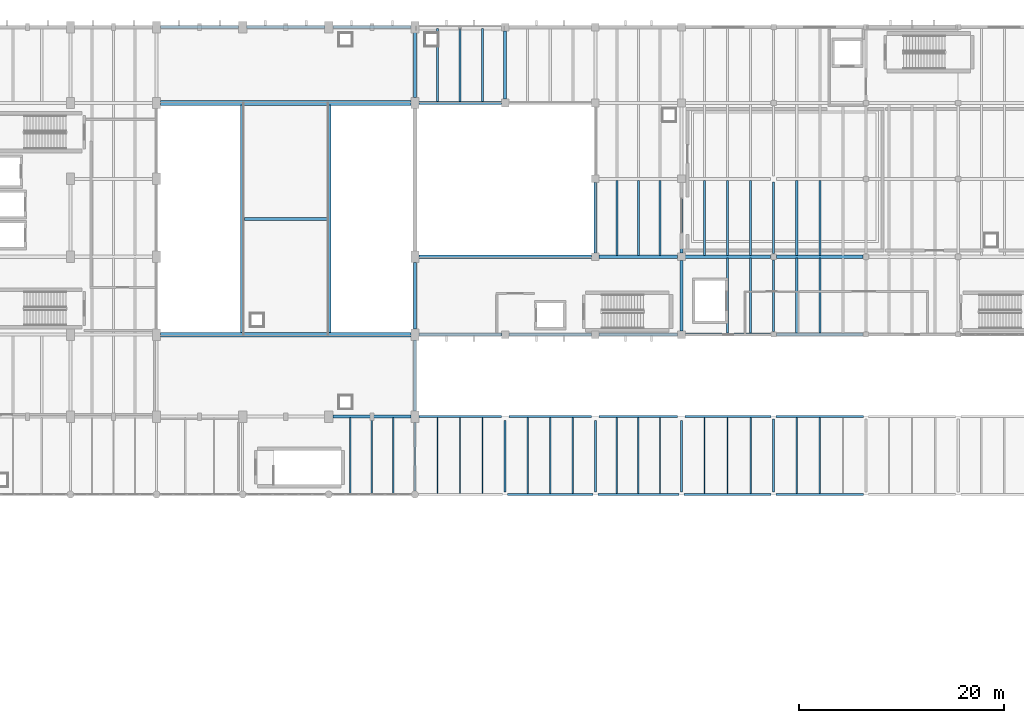
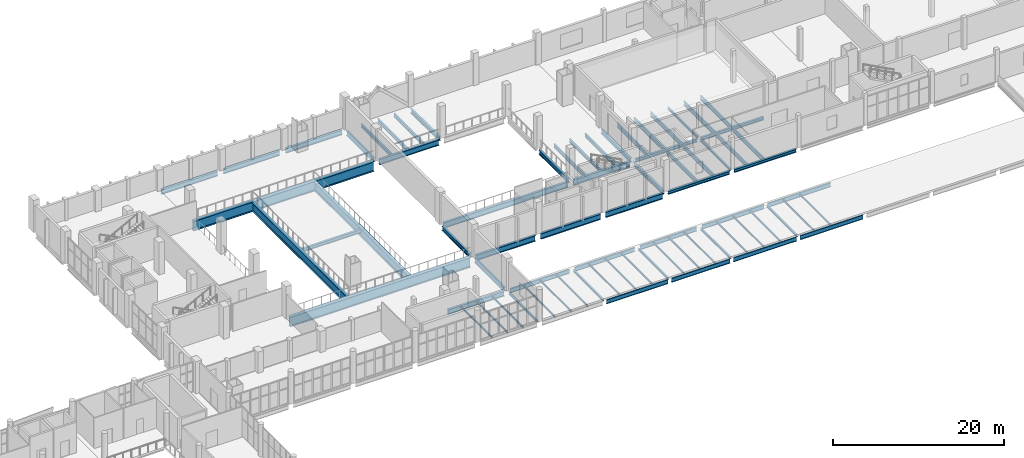
# One storey, part 39 of 74: 74 beams.
"""IFC4 building model written with IfcOpenShell, lengths in metres."""

from ifc_helpers import new_model, si_unit, direction, frame, origin, origin_2d, place, context, subcontext, project, spatial, i_section, extrude, material, material_profile, profile_set, type_object, element, save


model = new_model("IFC4")

# Units and contexts
model_context = context("Model", 3, precision=1e-05, world=origin(), true_north=direction((0.0, 1.0)))
body_context = subcontext(model_context, "Body", "Model", "MODEL_VIEW")
ifc_project = project(units=[si_unit("LENGTHUNIT", "METRE"), si_unit("AREAUNIT", "SQUARE_METRE"), si_unit("VOLUMEUNIT", "CUBIC_METRE"), si_unit("PLANEANGLEUNIT", "RADIAN"), si_unit("MASSUNIT", "GRAM", prefix="KILO")], contexts=[model_context])

# Site, building, storey
site_placement = place(None, origin())
site = spatial("IfcSite", under=ifc_project, at=site_placement, CompositionType="ELEMENT")
building_placement = place(site_placement, origin())
building = spatial("IfcBuilding", under=site, at=building_placement, Name="Shengluoqiao Park Theatre", CompositionType="ELEMENT")
storey_placement = place(building_placement, frame((0.0, 0.0, 14.60009765625)))
storey = spatial("IfcBuildingStorey", under=building, at=storey_placement, Name="L03", CompositionType="ELEMENT", Elevation=14.60009765625)

# Beams
ifc_material_1 = material(Name="Steel Q355", Category="steel")
ifc_material_profile_1 = material_profile(ifc_material_1, i_section(OverallWidth=0.199951171875, OverallDepth=0.2939453125, WebThickness=0.008056640625, FlangeThickness=0.011962890625, FilletRadius=0.01611328125, at=origin_2d()), Name="HM 294x200x8x12")
ifc_profile_set_1 = profile_set([ifc_material_profile_1], Name="Steel Q355")
beam_type_1 = type_object("IfcBeamType", Name="STR-BM-G-HM294", PredefinedType="BEAM", material=ifc_profile_set_1)
beam_1_placement = place(storey_placement, frame((86.39990234375, 68.743896484375, -0.397216796875), z_axis=(0.0, 1.0, 0.0), x_axis=(-1.0, 0.0, 0.0)))
element("IfcBeam", 1, at=beam_1_placement, inside=storey, type_object=beam_type_1, Name="L03 Transverse Girder 01361", PredefinedType="BEAM", context=body_context, shape_type="SweptSolid", body=[
    extrude(i_section(OverallWidth=0.199951171875, OverallDepth=0.2939453125, WebThickness=0.008056640625, FlangeThickness=0.011962890625, FilletRadius=0.01611328125, at=origin_2d()), origin(), (0.0, 0.0, 1.0), 6.712158203125),
])
for number, where, z_axis, x_axis, name in (
    (2, (121.39990234375, 84.2939453125, -0.38720703125), (0.0, 1.0, 0.0), (-1.0, 0.0, 0.0), "L03 Transverse Girder 01387"),
    (3, (121.39990234375, 91.89404296875, -0.38720703125), (0.0, 1.0, 0.0), (-1.0, 0.0, 0.0), "L03 Transverse Girder 01388"),
):
    element("IfcBeam", number, at=place(storey_placement, frame(where, z_axis=z_axis, x_axis=x_axis)), inside=storey, type_object=beam_type_1, Name=name, PredefinedType="BEAM", context=body_context, shape_type="SweptSolid", body=[
        extrude(i_section(OverallWidth=0.199951171875, OverallDepth=0.2939453125, WebThickness=0.008056640625, FlangeThickness=0.011962890625, FilletRadius=0.01611328125, at=origin_2d()), origin(), (0.0, 0.0, 1.0), 7.011962890625),
    ])
for number, where, z_axis, x_axis, name in (
    (4, (95.199951171875, 68.64794921875, -0.377197265625), (0.0, 1.0, 0.0), (-1.0, 0.0, 0.0), "L03 Transverse Girder 01870"),
    (5, (104.0, 68.64794921875, -0.377197265625), (0.0, 1.0, 0.0), (-1.0, 0.0, 0.0), "L03 Transverse Girder 01871"),
    (6, (112.39990234375, 68.64794921875, -0.377197265625), (0.0, 1.0, 0.0), (-1.0, 0.0, 0.0), "L03 Transverse Girder 01872"),
):
    element("IfcBeam", number, at=place(storey_placement, frame(where, z_axis=z_axis, x_axis=x_axis)), inside=storey, type_object=beam_type_1, Name=name, PredefinedType="BEAM", context=body_context, shape_type="SweptSolid", body=[
        extrude(i_section(OverallWidth=0.199951171875, OverallDepth=0.2939453125, WebThickness=0.008056640625, FlangeThickness=0.011962890625, FilletRadius=0.01611328125, at=origin_2d()), origin(), (0.0, 0.0, 1.0), 6.983154296875),
    ])
beam_2_placement = place(storey_placement, frame((121.39990234375, 68.64794921875, -0.377197265625), z_axis=(0.0, 1.0, 0.0), x_axis=(-1.0, 0.0, 0.0)))
element("IfcBeam", 7, at=beam_2_placement, inside=storey, type_object=beam_type_1, Name="L03 Transverse Girder 01873", PredefinedType="BEAM", context=body_context, shape_type="SweptSolid", body=[
    extrude(i_section(OverallWidth=0.199951171875, OverallDepth=0.2939453125, WebThickness=0.008056640625, FlangeThickness=0.011962890625, FilletRadius=0.01611328125, at=origin_2d()), origin(), (0.0, 0.0, 1.0), 7.10400390625),
])
ifc_material_profile_2 = material_profile(ifc_material_1, i_section(OverallWidth=0.300048828125, OverallDepth=0.43994140625, WebThickness=0.010986328125, FlangeThickness=0.01806640625, FilletRadius=0.02001953125, at=origin_2d()), Name="HM 440x300x11x18")
ifc_profile_set_2 = profile_set([ifc_material_profile_2], Name="Steel Q355")
beam_type_2 = type_object("IfcBeamType", Name="STR-BM-G-HM440", PredefinedType="BEAM", material=ifc_profile_set_2)
beam_3_placement = place(storey_placement, frame((112.76904296875, 84.0, -0.460205078125), z_axis=(1.0, 0.0, 0.0), x_axis=(0.0, 1.0, 0.0)))
element("IfcBeam", 8, at=beam_3_placement, inside=storey, type_object=beam_type_2, Name="L03 Primary Girder 01372", PredefinedType="BEAM", context=body_context, shape_type="SweptSolid", body=[
    extrude(i_section(OverallWidth=0.300048828125, OverallDepth=0.43994140625, WebThickness=0.010986328125, FlangeThickness=0.01806640625, FilletRadius=0.02001953125, at=origin_2d()), origin(), (0.0, 0.0, 1.0), 8.3369140625),
])
beam_4_placement = place(storey_placement, frame((121.694091796875, 84.0, -0.460205078125), z_axis=(1.0, 0.0, 0.0), x_axis=(0.0, 1.0, 0.0)))
element("IfcBeam", 9, at=beam_4_placement, inside=storey, type_object=beam_type_2, Name="L03 Primary Girder 01373", PredefinedType="BEAM", context=body_context, shape_type="SweptSolid", body=[
    extrude(i_section(OverallWidth=0.300048828125, OverallDepth=0.43994140625, WebThickness=0.010986328125, FlangeThickness=0.01806640625, FilletRadius=0.02001953125, at=origin_2d()), origin(), (0.0, 0.0, 1.0), 8.411865234375),
])
beam_5_placement = place(storey_placement, frame((112.76904296875, 91.60009765625, -0.460205078125), z_axis=(1.0, 0.0, 0.0), x_axis=(0.0, 1.0, 0.0)))
element("IfcBeam", 10, at=beam_5_placement, inside=storey, type_object=beam_type_2, Name="L03 Primary Girder 01375", PredefinedType="BEAM", context=body_context, shape_type="SweptSolid", body=[
    extrude(i_section(OverallWidth=0.300048828125, OverallDepth=0.43994140625, WebThickness=0.010986328125, FlangeThickness=0.01806640625, FilletRadius=0.02001953125, at=origin_2d()), origin(), (0.0, 0.0, 1.0), 8.3369140625),
])
beam_6_placement = place(storey_placement, frame((121.694091796875, 91.60009765625, -0.460205078125), z_axis=(1.0, 0.0, 0.0), x_axis=(0.0, 1.0, 0.0)))
element("IfcBeam", 11, at=beam_6_placement, inside=storey, type_object=beam_type_2, Name="L03 Primary Girder 01376", PredefinedType="BEAM", context=body_context, shape_type="SweptSolid", body=[
    extrude(i_section(OverallWidth=0.300048828125, OverallDepth=0.43994140625, WebThickness=0.010986328125, FlangeThickness=0.01806640625, FilletRadius=0.02001953125, at=origin_2d()), origin(), (0.0, 0.0, 1.0), 8.411865234375),
])
ifc_material_profile_3 = material_profile(ifc_material_1, i_section(OverallWidth=0.300048828125, OverallDepth=0.488037109375, WebThickness=0.010986328125, FlangeThickness=0.01806640625, FilletRadius=0.02197265625, at=origin_2d()), Name="HM 488x300x11x18")
ifc_profile_set_3 = profile_set([ifc_material_profile_3], Name="Steel Q355")
beam_type_3 = type_object("IfcBeamType", Name="STR-BM-G-HM488", PredefinedType="BEAM", material=ifc_profile_set_3)
beam_7_placement = place(storey_placement, frame((69.7900390625, 95.300048828125, -0.494140625), z_axis=(1.0, 0.0, 0.0), x_axis=(0.0, 1.0, 0.0)))
element("IfcBeam", 12, at=beam_7_placement, inside=storey, type_object=beam_type_3, Name="Second Balcony Mid-Span Transverse Beam", PredefinedType="BEAM", context=body_context, shape_type="SweptSolid", body=[
    extrude(i_section(OverallWidth=0.300048828125, OverallDepth=0.488037109375, WebThickness=0.010986328125, FlangeThickness=0.01806640625, FilletRadius=0.02197265625, at=origin_2d()), origin(), (0.0, 0.0, 1.0), 8.02001953125),
])
ifc_material_profile_4 = material_profile(ifc_material_1, i_section(OverallWidth=0.300048828125, OverallDepth=0.58203125, WebThickness=0.011962890625, FlangeThickness=0.01708984375, FilletRadius=0.02392578125, at=origin_2d()), Name="HM 582x300x12x17")
ifc_profile_set_4 = profile_set([ifc_material_profile_4], Name="Steel Q355")
beam_type_4 = type_object("IfcBeamType", Name="STR-BM-G-HM582", PredefinedType="BEAM", material=ifc_profile_set_4)
beam_8_placement = place(storey_placement, frame((86.39990234375, 84.5439453125, -0.541015625), z_axis=(0.0, 1.0, 0.0), x_axis=(-1.0, 0.0, 0.0)))
element("IfcBeam", 13, at=beam_8_placement, inside=storey, type_object=beam_type_4, Name="L03 Transverse Girder 01259", PredefinedType="BEAM", context=body_context, shape_type="SweptSolid", body=[
    extrude(i_section(OverallWidth=0.300048828125, OverallDepth=0.58203125, WebThickness=0.011962890625, FlangeThickness=0.01708984375, FilletRadius=0.02392578125, at=origin_2d()), origin(), (0.0, 0.0, 1.0), 6.511962890625),
])
beam_9_placement = place(storey_placement, frame((112.39990234375, 84.368896484375, -0.531005859375), z_axis=(0.0, 1.0, 0.0), x_axis=(-1.0, 0.0, 0.0)))
element("IfcBeam", 14, at=beam_9_placement, inside=storey, type_object=beam_type_4, Name="L03 Transverse Girder 01260", PredefinedType="BEAM", context=body_context, shape_type="SweptSolid", body=[
    extrude(i_section(OverallWidth=0.300048828125, OverallDepth=0.58203125, WebThickness=0.011962890625, FlangeThickness=0.01708984375, FilletRadius=0.02392578125, at=origin_2d()), origin(), (0.0, 0.0, 1.0), 6.862060546875),
])
beam_10_placement = place(storey_placement, frame((95.199951171875, 106.968994140625, -0.531005859375), z_axis=(0.0, 1.0, 0.0), x_axis=(-1.0, 0.0, 0.0)))
element("IfcBeam", 15, at=beam_10_placement, inside=storey, type_object=beam_type_4, Name="L03 Transverse Girder 01267", PredefinedType="BEAM", context=body_context, shape_type="SweptSolid", body=[
    extrude(i_section(OverallWidth=0.300048828125, OverallDepth=0.58203125, WebThickness=0.011962890625, FlangeThickness=0.01708984375, FilletRadius=0.02392578125, at=origin_2d()), origin(), (0.0, 0.0, 1.0), 6.662109375),
])
for number, where, z_axis, x_axis, name in (
    (16, (104.0, 91.968994140625, -0.531005859375), (0.0, 1.0, 0.0), (-1.0, 0.0, 0.0), "L03 Transverse Girder 01280"),
    (17, (112.39990234375, 91.968994140625, -0.531005859375), (0.0, 1.0, 0.0), (-1.0, 0.0, 0.0), "L03 Transverse Girder 01282"),
):
    element("IfcBeam", number, at=place(storey_placement, frame(where, z_axis=z_axis, x_axis=x_axis)), inside=storey, type_object=beam_type_4, Name=name, PredefinedType="BEAM", context=body_context, shape_type="SweptSolid", body=[
        extrude(i_section(OverallWidth=0.300048828125, OverallDepth=0.58203125, WebThickness=0.011962890625, FlangeThickness=0.01708984375, FilletRadius=0.02392578125, at=origin_2d()), origin(), (0.0, 0.0, 1.0), 6.862060546875),
    ])
ifc_material_profile_5 = material_profile(ifc_material_1, i_section(OverallWidth=0.300048828125, OverallDepth=0.587890625, WebThickness=0.011962890625, FlangeThickness=0.02001953125, FilletRadius=0.02392578125, at=origin_2d()), Name="HM 588x300x12x20")
ifc_profile_set_5 = profile_set([ifc_material_profile_5], Name="Steel Q355")
beam_type_5 = type_object("IfcBeamType", Name="STR-BM-G-HM588", PredefinedType="BEAM", material=ifc_profile_set_5)
beam_11_placement = place(storey_placement, frame((86.39990234375, 76.5439453125, -0.544189453125), z_axis=(0.0, 1.0, 0.0), x_axis=(-1.0, 0.0, 0.0)))
element("IfcBeam", 18, at=beam_11_placement, inside=storey, type_object=beam_type_5, Name="L03 Transverse Girder 01249", PredefinedType="BEAM", context=body_context, shape_type="SweptSolid", body=[
    extrude(i_section(OverallWidth=0.300048828125, OverallDepth=0.587890625, WebThickness=0.011962890625, FlangeThickness=0.02001953125, FilletRadius=0.02392578125, at=origin_2d()), origin(), (0.0, 0.0, 1.0), 6.912109375),
])
beam_12_placement = place(storey_placement, frame((86.39990234375, 107.14404296875, -0.544189453125), z_axis=(0.0, 1.0, 0.0), x_axis=(-1.0, 0.0, 0.0)))
element("IfcBeam", 19, at=beam_12_placement, inside=storey, type_object=beam_type_5, Name="L03 Transverse Girder 01253", PredefinedType="BEAM", context=body_context, shape_type="SweptSolid", body=[
    extrude(i_section(OverallWidth=0.300048828125, OverallDepth=0.587890625, WebThickness=0.011962890625, FlangeThickness=0.02001953125, FilletRadius=0.02392578125, at=origin_2d()), origin(), (0.0, 0.0, 1.0), 6.31201171875),
])
ifc_material_2 = material(Name="Steel Q390", Category="steel")
ifc_material_profile_6 = material_profile(ifc_material_2, i_section(OverallWidth=0.300048828125, OverallDepth=0.699951171875, WebThickness=0.012939453125, FlangeThickness=0.02392578125, FilletRadius=0.02392578125, at=origin_2d()), Name="HN 700x300x13x24")
ifc_profile_set_6 = profile_set([ifc_material_profile_6], Name="Steel Q390")
beam_type_6 = type_object("IfcBeamType", Name="STR-BM-G-HN700", PredefinedType="BEAM", material=ifc_profile_set_6)
for number, where, z_axis, x_axis, name in (
    (20, (78.39404296875, 76.0, -0.60009765625), (1.0, 0.0, 0.0), (0.0, 1.0, 0.0), "L03 Primary Girder 01248"),
    (21, (61.593994140625, 114.0, -0.60009765625), (1.0, 0.0, 0.0), (0.0, 1.0, 0.0), "L03 Primary Girder 01250"),
    (22, (69.993896484375, 114.0, -0.60009765625), (1.0, 0.0, 0.0), (0.0, 1.0, 0.0), "L03 Primary Girder 01251"),
    (23, (78.39404296875, 114.0, -0.60009765625), (1.0, 0.0, 0.0), (0.0, 1.0, 0.0), "L03 Primary Girder 01252"),
):
    element("IfcBeam", number, at=place(storey_placement, frame(where, z_axis=z_axis, x_axis=x_axis)), inside=storey, type_object=beam_type_6, Name=name, PredefinedType="BEAM", context=body_context, shape_type="SweptSolid", body=[
        extrude(i_section(OverallWidth=0.300048828125, OverallDepth=0.699951171875, WebThickness=0.012939453125, FlangeThickness=0.02392578125, FilletRadius=0.02392578125, at=origin_2d()), origin(), (0.0, 0.0, 1.0), 7.612060546875),
    ])
ifc_material_profile_7 = material_profile(ifc_material_2, i_section(OverallWidth=0.300048828125, OverallDepth=0.800048828125, WebThickness=0.013916015625, FlangeThickness=0.02587890625, FilletRadius=0.02587890625, at=origin_2d()), Name="HN 800x300x14x26")
ifc_profile_set_7 = profile_set([ifc_material_profile_7], Name="Steel Q390")
beam_type_7 = type_object("IfcBeamType", Name="STR-BM-G-HN800", PredefinedType="BEAM", material=ifc_profile_set_7)
beam_13_placement = place(storey_placement, frame((86.7939453125, 84.0, -0.650146484375), z_axis=(1.0, 0.0, 0.0), x_axis=(0.0, 1.0, 0.0)))
element("IfcBeam", 24, at=beam_13_placement, inside=storey, type_object=beam_type_7, Name="L03 Primary Girder 01254", PredefinedType="BEAM", context=body_context, shape_type="SweptSolid", body=[
    extrude(i_section(OverallWidth=0.300048828125, OverallDepth=0.800048828125, WebThickness=0.013916015625, FlangeThickness=0.02587890625, FilletRadius=0.02587890625, at=origin_2d()), origin(), (0.0, 0.0, 1.0), 8.037109375),
])
beam_14_placement = place(storey_placement, frame((95.569091796875, 84.0, -0.64013671875), z_axis=(1.0, 0.0, 0.0), x_axis=(0.0, 1.0, 0.0)))
element("IfcBeam", 25, at=beam_14_placement, inside=storey, type_object=beam_type_7, Name="L03 Primary Girder 01255", PredefinedType="BEAM", context=body_context, shape_type="SweptSolid", body=[
    extrude(i_section(OverallWidth=0.300048828125, OverallDepth=0.800048828125, WebThickness=0.013916015625, FlangeThickness=0.02587890625, FilletRadius=0.02587890625, at=origin_2d()), origin(), (0.0, 0.0, 1.0), 8.06201171875),
])
beam_15_placement = place(storey_placement, frame((104.368896484375, 84.0, -0.64013671875), z_axis=(1.0, 0.0, 0.0), x_axis=(0.0, 1.0, 0.0)))
element("IfcBeam", 26, at=beam_15_placement, inside=storey, type_object=beam_type_7, Name="L03 Primary Girder 01256", PredefinedType="BEAM", context=body_context, shape_type="SweptSolid", body=[
    extrude(i_section(OverallWidth=0.300048828125, OverallDepth=0.800048828125, WebThickness=0.013916015625, FlangeThickness=0.02587890625, FilletRadius=0.02587890625, at=origin_2d()), origin(), (0.0, 0.0, 1.0), 7.662109375),
])
beam_16_placement = place(storey_placement, frame((86.7939453125, 91.60009765625, -0.64013671875), z_axis=(1.0, 0.0, 0.0), x_axis=(0.0, 1.0, 0.0)))
element("IfcBeam", 27, at=beam_16_placement, inside=storey, type_object=beam_type_7, Name="L03 Primary Girder 01257", PredefinedType="BEAM", context=body_context, shape_type="SweptSolid", body=[
    extrude(i_section(OverallWidth=0.300048828125, OverallDepth=0.800048828125, WebThickness=0.013916015625, FlangeThickness=0.02587890625, FilletRadius=0.02587890625, at=origin_2d()), origin(), (0.0, 0.0, 1.0), 16.837158203125),
])
beam_17_placement = place(storey_placement, frame((104.368896484375, 91.60009765625, -0.64013671875), z_axis=(1.0, 0.0, 0.0), x_axis=(0.0, 1.0, 0.0)))
element("IfcBeam", 28, at=beam_17_placement, inside=storey, type_object=beam_type_7, Name="L03 Primary Girder 01258", PredefinedType="BEAM", context=body_context, shape_type="SweptSolid", body=[
    extrude(i_section(OverallWidth=0.300048828125, OverallDepth=0.800048828125, WebThickness=0.013916015625, FlangeThickness=0.02587890625, FilletRadius=0.02587890625, at=origin_2d()), origin(), (0.0, 0.0, 1.0), 7.662109375),
])
beam_18_placement = place(storey_placement, frame((86.7939453125, 106.60009765625, -0.650146484375), z_axis=(1.0, 0.0, 0.0), x_axis=(0.0, 1.0, 0.0)))
element("IfcBeam", 29, at=beam_18_placement, inside=storey, type_object=beam_type_7, Name="L03 Primary Girder 01261", PredefinedType="BEAM", context=body_context, shape_type="SweptSolid", body=[
    extrude(i_section(OverallWidth=0.300048828125, OverallDepth=0.800048828125, WebThickness=0.013916015625, FlangeThickness=0.02587890625, FilletRadius=0.02587890625, at=origin_2d()), origin(), (0.0, 0.0, 1.0), 8.037109375),
])
ifc_material_profile_8 = material_profile(ifc_material_1, i_section(OverallWidth=0.125, OverallDepth=0.25, WebThickness=0.006103515625, FlangeThickness=0.009033203125, FilletRadius=0.010009765625, at=origin_2d()), Name="HN 250x125x6x9")
ifc_profile_set_8 = profile_set([ifc_material_profile_8], Name="Steel Q355")
beam_type_8 = type_object("IfcBeamType", Name="STR-BM-J-HN250", PredefinedType="JOIST", material=ifc_profile_set_8)
for number, where, z_axis, x_axis, name in (
    (30, (80.10009765625, 68.494384765625, -0.375), (0.0, 1.0, 0.0), (-1.0, 0.0, 0.0), "L03 Composite Joist 01369"),
    (31, (82.199951171875, 68.494384765625, -0.375), (0.0, 1.0, 0.0), (-1.0, 0.0, 0.0), "L03 Composite Joist 01370"),
    (32, (84.300048828125, 68.494384765625, -0.375), (0.0, 1.0, 0.0), (-1.0, 0.0, 0.0), "L03 Composite Joist 01371"),
    (33, (88.60009765625, 68.494384765625, -0.35498046875), (0.0, 1.0, 0.0), (-1.0, 0.0, 0.0), "L03 Composite Joist 01877"),
    (34, (90.800048828125, 68.494384765625, -0.35498046875), (0.0, 1.0, 0.0), (-1.0, 0.0, 0.0), "L03 Composite Joist 01878"),
    (35, (93.0, 68.494384765625, -0.35498046875), (0.0, 1.0, 0.0), (-1.0, 0.0, 0.0), "L03 Composite Joist 01879"),
    (36, (97.39990234375, 68.494384765625, -0.35498046875), (0.0, 1.0, 0.0), (-1.0, 0.0, 0.0), "L03 Composite Joist 01880"),
    (37, (99.60009765625, 68.494384765625, -0.35498046875), (0.0, 1.0, 0.0), (-1.0, 0.0, 0.0), "L03 Composite Joist 01881"),
    (38, (101.800048828125, 68.494384765625, -0.35498046875), (0.0, 1.0, 0.0), (-1.0, 0.0, 0.0), "L03 Composite Joist 01882"),
    (39, (106.10009765625, 68.494384765625, -0.35498046875), (0.0, 1.0, 0.0), (-1.0, 0.0, 0.0), "L03 Composite Joist 01883"),
    (40, (108.199951171875, 68.494384765625, -0.35498046875), (0.0, 1.0, 0.0), (-1.0, 0.0, 0.0), "L03 Composite Joist 01884"),
    (41, (110.300048828125, 68.494384765625, -0.35498046875), (0.0, 1.0, 0.0), (-1.0, 0.0, 0.0), "L03 Composite Joist 01885"),
    (42, (114.64990234375, 68.494384765625, -0.35498046875), (0.0, 1.0, 0.0), (-1.0, 0.0, 0.0), "L03 Composite Joist 01886"),
    (43, (116.89990234375, 68.494384765625, -0.35498046875), (0.0, 1.0, 0.0), (-1.0, 0.0, 0.0), "L03 Composite Joist 01887"),
    (44, (119.14990234375, 68.494384765625, -0.35498046875), (0.0, 1.0, 0.0), (-1.0, 0.0, 0.0), "L03 Composite Joist 01888"),
    (45, (123.64990234375, 68.494384765625, -0.35498046875), (0.0, 1.0, 0.0), (-1.0, 0.0, 0.0), "L03 Composite Joist 01889"),
    (46, (125.89990234375, 68.494384765625, -0.35498046875), (0.0, 1.0, 0.0), (-1.0, 0.0, 0.0), "L03 Composite Joist 01890"),
):
    element("IfcBeam", number, at=place(storey_placement, frame(where, z_axis=z_axis, x_axis=x_axis)), inside=storey, type_object=beam_type_8, Name=name, PredefinedType="JOIST", context=body_context, shape_type="SweptSolid", body=[
        extrude(i_section(OverallWidth=0.125, OverallDepth=0.25, WebThickness=0.006103515625, FlangeThickness=0.009033203125, FilletRadius=0.010009765625, at=origin_2d()), origin(), (0.0, 0.0, 1.0), 7.4111328125),
    ])
ifc_material_profile_9 = material_profile(ifc_material_1, i_section(OverallWidth=0.199951171875, OverallDepth=0.5, WebThickness=0.010009765625, FlangeThickness=0.01611328125, FilletRadius=0.01806640625, at=origin_2d()), Name="HN 500x200x10x16")
ifc_profile_set_9 = profile_set([ifc_material_profile_9], Name="Steel Q355")
beam_type_9 = type_object("IfcBeamType", Name="STR-BM-J-HN500", PredefinedType="JOIST", material=ifc_profile_set_9)
for number, where, z_axis, x_axis, name in (
    (47, (88.60009765625, 106.7451171875, -0.489990234375), (0.0, 1.0, 0.0), (-1.0, 0.0, 0.0), "L03 Composite Joist 01270"),
    (48, (90.800048828125, 106.7451171875, -0.489990234375), (0.0, 1.0, 0.0), (-1.0, 0.0, 0.0), "L03 Composite Joist 01271"),
    (49, (93.0, 106.7451171875, -0.489990234375), (0.0, 1.0, 0.0), (-1.0, 0.0, 0.0), "L03 Composite Joist 01272"),
):
    element("IfcBeam", number, at=place(storey_placement, frame(where, z_axis=z_axis, x_axis=x_axis)), inside=storey, type_object=beam_type_9, Name=name, PredefinedType="JOIST", context=body_context, shape_type="SweptSolid", body=[
        extrude(i_section(OverallWidth=0.199951171875, OverallDepth=0.5, WebThickness=0.010009765625, FlangeThickness=0.01611328125, FilletRadius=0.01806640625, at=origin_2d()), origin(), (0.0, 0.0, 1.0), 7.10986328125),
    ])
for number, where, z_axis, x_axis, name in (
    (50, (106.10009765625, 91.7451171875, -0.489990234375), (0.0, 1.0, 0.0), (-1.0, 0.0, 0.0), "L03 Composite Joist 01284"),
    (51, (108.199951171875, 91.7451171875, -0.489990234375), (0.0, 1.0, 0.0), (-1.0, 0.0, 0.0), "L03 Composite Joist 01285"),
    (52, (110.300048828125, 91.7451171875, -0.489990234375), (0.0, 1.0, 0.0), (-1.0, 0.0, 0.0), "L03 Composite Joist 01286"),
):
    element("IfcBeam", number, at=place(storey_placement, frame(where, z_axis=z_axis, x_axis=x_axis)), inside=storey, type_object=beam_type_9, Name=name, PredefinedType="JOIST", context=body_context, shape_type="SweptSolid", body=[
        extrude(i_section(OverallWidth=0.199951171875, OverallDepth=0.5, WebThickness=0.010009765625, FlangeThickness=0.01611328125, FilletRadius=0.01806640625, at=origin_2d()), origin(), (0.0, 0.0, 1.0), 7.309814453125),
    ])
ifc_material_profile_10 = material_profile(ifc_material_1, i_section(OverallWidth=0.199951171875, OverallDepth=0.60009765625, WebThickness=0.010986328125, FlangeThickness=0.01708984375, FilletRadius=0.02001953125, at=origin_2d()), Name="HN 600x200x11x17")
ifc_profile_set_10 = profile_set([ifc_material_profile_10], Name="Steel Q355")
beam_type_10 = type_object("IfcBeamType", Name="STR-BM-J-HN600", PredefinedType="JOIST", material=ifc_profile_set_10)
for number, where, z_axis, x_axis, name in (
    (53, (116.89990234375, 84.14501953125, -0.5400390625), (0.0, 1.0, 0.0), (-1.0, 0.0, 0.0), "L03 Composite Joist 01398"),
    (54, (119.14990234375, 84.14501953125, -0.5400390625), (0.0, 1.0, 0.0), (-1.0, 0.0, 0.0), "L03 Composite Joist 01399"),
):
    element("IfcBeam", number, at=place(storey_placement, frame(where, z_axis=z_axis, x_axis=x_axis)), inside=storey, type_object=beam_type_10, Name=name, PredefinedType="JOIST", context=body_context, shape_type="SweptSolid", body=[
        extrude(i_section(OverallWidth=0.199951171875, OverallDepth=0.60009765625, WebThickness=0.010986328125, FlangeThickness=0.01708984375, FilletRadius=0.02001953125, at=origin_2d()), origin(), (0.0, 0.0, 1.0), 7.31005859375),
    ])
for number, where, z_axis, x_axis, name in (
    (55, (114.64990234375, 91.7451171875, -0.5400390625), (0.0, 1.0, 0.0), (-1.0, 0.0, 0.0), "L03 Composite Joist 01400"),
    (56, (116.89990234375, 91.7451171875, -0.5400390625), (0.0, 1.0, 0.0), (-1.0, 0.0, 0.0), "L03 Composite Joist 01401"),
    (57, (119.14990234375, 91.7451171875, -0.5400390625), (0.0, 1.0, 0.0), (-1.0, 0.0, 0.0), "L03 Composite Joist 01402"),
):
    element("IfcBeam", number, at=place(storey_placement, frame(where, z_axis=z_axis, x_axis=x_axis)), inside=storey, type_object=beam_type_10, Name=name, PredefinedType="JOIST", context=body_context, shape_type="SweptSolid", body=[
        extrude(i_section(OverallWidth=0.199951171875, OverallDepth=0.60009765625, WebThickness=0.010986328125, FlangeThickness=0.01708984375, FilletRadius=0.02001953125, at=origin_2d()), origin(), (0.0, 0.0, 1.0), 7.309814453125),
    ])
for number, where, z_axis, x_axis, name in (
    (58, (123.64990234375, 84.14501953125, -0.5400390625), (0.0, 1.0, 0.0), (-1.0, 0.0, 0.0), "L03 Composite Joist 01409"),
    (59, (125.89990234375, 84.14501953125, -0.5400390625), (0.0, 1.0, 0.0), (-1.0, 0.0, 0.0), "L03 Composite Joist 01410"),
):
    element("IfcBeam", number, at=place(storey_placement, frame(where, z_axis=z_axis, x_axis=x_axis)), inside=storey, type_object=beam_type_10, Name=name, PredefinedType="JOIST", context=body_context, shape_type="SweptSolid", body=[
        extrude(i_section(OverallWidth=0.199951171875, OverallDepth=0.60009765625, WebThickness=0.010986328125, FlangeThickness=0.01708984375, FilletRadius=0.02001953125, at=origin_2d()), origin(), (0.0, 0.0, 1.0), 7.31005859375),
    ])
for number, where, z_axis, x_axis, name in (
    (60, (123.64990234375, 91.7451171875, -0.5400390625), (0.0, 1.0, 0.0), (-1.0, 0.0, 0.0), "L03 Composite Joist 01412"),
    (61, (125.89990234375, 91.7451171875, -0.5400390625), (0.0, 1.0, 0.0), (-1.0, 0.0, 0.0), "L03 Composite Joist 01413"),
):
    element("IfcBeam", number, at=place(storey_placement, frame(where, z_axis=z_axis, x_axis=x_axis)), inside=storey, type_object=beam_type_10, Name=name, PredefinedType="JOIST", context=body_context, shape_type="SweptSolid", body=[
        extrude(i_section(OverallWidth=0.199951171875, OverallDepth=0.60009765625, WebThickness=0.010986328125, FlangeThickness=0.01708984375, FilletRadius=0.02001953125, at=origin_2d()), origin(), (0.0, 0.0, 1.0), 7.309814453125),
    ])
ifc_material_profile_11 = material_profile(ifc_material_1, i_section(OverallWidth=0.198974609375, OverallDepth=0.595947265625, WebThickness=0.010009765625, FlangeThickness=0.014892578125, FilletRadius=0.02001953125, at=origin_2d()), Name="HN 596x199x10x15")
ifc_profile_set_11 = profile_set([ifc_material_profile_11], Name="Steel Q355")
beam_type_11 = type_object("IfcBeamType", Name="STR-BM-SP-HN596", PredefinedType="SPANDREL", material=ifc_profile_set_11)
beam_19_placement = place(storey_placement, frame((95.447998046875, 68.39990234375, -0.528076171875), z_axis=(1.0, 0.0, 0.0), x_axis=(0.0, 1.0, 0.0)))
element("IfcBeam", 62, at=beam_19_placement, inside=storey, type_object=beam_type_11, Name="L03 Primary Girder 01855", PredefinedType="SPANDREL", context=body_context, shape_type="SweptSolid", body=[
    extrude(i_section(OverallWidth=0.198974609375, OverallDepth=0.595947265625, WebThickness=0.010009765625, FlangeThickness=0.014892578125, FilletRadius=0.02001953125, at=origin_2d()), origin(), (0.0, 0.0, 1.0), 8.303955078125),
])
beam_20_placement = place(storey_placement, frame((104.248046875, 68.39990234375, -0.528076171875), z_axis=(1.0, 0.0, 0.0), x_axis=(0.0, 1.0, 0.0)))
element("IfcBeam", 63, at=beam_20_placement, inside=storey, type_object=beam_type_11, Name="L03 Primary Girder 01856", PredefinedType="SPANDREL", context=body_context, shape_type="SweptSolid", body=[
    extrude(i_section(OverallWidth=0.198974609375, OverallDepth=0.595947265625, WebThickness=0.010009765625, FlangeThickness=0.014892578125, FilletRadius=0.02001953125, at=origin_2d()), origin(), (0.0, 0.0, 1.0), 7.904052734375),
])
for number, where, z_axis, x_axis, name in (
    (64, (112.64794921875, 68.39990234375, -0.528076171875), (1.0, 0.0, 0.0), (0.0, 1.0, 0.0), "L03 Primary Girder 01857"),
    (65, (121.64794921875, 68.39990234375, -0.528076171875), (1.0, 0.0, 0.0), (0.0, 1.0, 0.0), "L03 Primary Girder 01858"),
):
    element("IfcBeam", number, at=place(storey_placement, frame(where, z_axis=z_axis, x_axis=x_axis)), inside=storey, type_object=beam_type_11, Name=name, PredefinedType="SPANDREL", context=body_context, shape_type="SweptSolid", body=[
        extrude(i_section(OverallWidth=0.198974609375, OverallDepth=0.595947265625, WebThickness=0.010009765625, FlangeThickness=0.014892578125, FilletRadius=0.02001953125, at=origin_2d()), origin(), (0.0, 0.0, 1.0), 8.504150390625),
    ])
beam_21_placement = place(storey_placement, frame((86.7939453125, 76.0, -0.548095703125), z_axis=(1.0, 0.0, 0.0), x_axis=(0.0, 1.0, 0.0)))
element("IfcBeam", 66, at=beam_21_placement, inside=storey, type_object=beam_type_11, Name="L03 Primary Girder 01862", PredefinedType="SPANDREL", context=body_context, shape_type="SweptSolid", body=[
    extrude(i_section(OverallWidth=0.198974609375, OverallDepth=0.595947265625, WebThickness=0.010009765625, FlangeThickness=0.014892578125, FilletRadius=0.02001953125, at=origin_2d()), origin(), (0.0, 0.0, 1.0), 8.037109375),
])
beam_22_placement = place(storey_placement, frame((95.569091796875, 76.0, -0.528076171875), z_axis=(1.0, 0.0, 0.0), x_axis=(0.0, 1.0, 0.0)))
element("IfcBeam", 67, at=beam_22_placement, inside=storey, type_object=beam_type_11, Name="L03 Primary Girder 01863", PredefinedType="SPANDREL", context=body_context, shape_type="SweptSolid", body=[
    extrude(i_section(OverallWidth=0.198974609375, OverallDepth=0.595947265625, WebThickness=0.010009765625, FlangeThickness=0.014892578125, FilletRadius=0.02001953125, at=origin_2d()), origin(), (0.0, 0.0, 1.0), 8.06201171875),
])
beam_23_placement = place(storey_placement, frame((104.368896484375, 76.0, -0.528076171875), z_axis=(1.0, 0.0, 0.0), x_axis=(0.0, 1.0, 0.0)))
element("IfcBeam", 68, at=beam_23_placement, inside=storey, type_object=beam_type_11, Name="L03 Primary Girder 01864", PredefinedType="SPANDREL", context=body_context, shape_type="SweptSolid", body=[
    extrude(i_section(OverallWidth=0.198974609375, OverallDepth=0.595947265625, WebThickness=0.010009765625, FlangeThickness=0.014892578125, FilletRadius=0.02001953125, at=origin_2d()), origin(), (0.0, 0.0, 1.0), 7.662109375),
])
beam_24_placement = place(storey_placement, frame((112.76904296875, 76.0, -0.528076171875), z_axis=(1.0, 0.0, 0.0), x_axis=(0.0, 1.0, 0.0)))
element("IfcBeam", 69, at=beam_24_placement, inside=storey, type_object=beam_type_11, Name="L03 Primary Girder 01865", PredefinedType="SPANDREL", context=body_context, shape_type="SweptSolid", body=[
    extrude(i_section(OverallWidth=0.198974609375, OverallDepth=0.595947265625, WebThickness=0.010009765625, FlangeThickness=0.014892578125, FilletRadius=0.02001953125, at=origin_2d()), origin(), (0.0, 0.0, 1.0), 8.383056640625),
])
beam_25_placement = place(storey_placement, frame((121.64794921875, 76.0, -0.528076171875), z_axis=(1.0, 0.0, 0.0), x_axis=(0.0, 1.0, 0.0)))
element("IfcBeam", 70, at=beam_25_placement, inside=storey, type_object=beam_type_11, Name="L03 Primary Girder 01866", PredefinedType="SPANDREL", context=body_context, shape_type="SweptSolid", body=[
    extrude(i_section(OverallWidth=0.198974609375, OverallDepth=0.595947265625, WebThickness=0.010009765625, FlangeThickness=0.014892578125, FilletRadius=0.02001953125, at=origin_2d()), origin(), (0.0, 0.0, 1.0), 8.504150390625),
])
ifc_material_profile_12 = material_profile(ifc_material_2, i_section(OverallWidth=0.39990234375, OverallDepth=1.199951171875, WebThickness=0.02197265625, FlangeThickness=0.031982421875, FilletRadius=0.02001953125, at=origin_2d()), Name="HN 1200x400x22x32")
ifc_profile_set_12 = profile_set([ifc_material_profile_12], Name="Steel Q390")
beam_type_12 = type_object("IfcBeamType", Name="STR-BM-TG-1200", PredefinedType="USERDEFINED", material=ifc_profile_set_12)
for number, where, z_axis, x_axis, name in (
    (71, (69.60009765625, 84.2099609375, -0.85009765625), (0.0, 1.0, 0.0), (-1.0, 0.0, 0.0), "Second Balcony Secondary Transfer Girder W"),
    (72, (78.0, 84.2099609375, -0.85009765625), (0.0, 1.0, 0.0), (-1.0, 0.0, 0.0), "Second Balcony Secondary Transfer Girder E"),
):
    element("IfcBeam", number, at=place(storey_placement, frame(where, z_axis=z_axis, x_axis=x_axis)), inside=storey, type_object=beam_type_12, Name=name, ObjectType="TRANSFER_GIRDER", PredefinedType="USERDEFINED", context=body_context, shape_type="SweptSolid", body=[
        extrude(i_section(OverallWidth=0.39990234375, OverallDepth=1.199951171875, WebThickness=0.02197265625, FlangeThickness=0.031982421875, FilletRadius=0.02001953125, at=origin_2d()), origin(), (0.0, 0.0, 1.0), 22.179931640625),
    ])
ifc_material_profile_13 = material_profile(ifc_material_2, i_section(OverallWidth=0.449951171875, OverallDepth=1.39990234375, WebThickness=0.02392578125, FlangeThickness=0.035888671875, FilletRadius=0.02392578125, at=origin_2d()), Name="HN 1400x450x24x36")
ifc_profile_set_13 = profile_set([ifc_material_profile_13], Name="Steel Q390")
beam_type_13 = type_object("IfcBeamType", Name="STR-BM-TG-1400", PredefinedType="USERDEFINED", material=ifc_profile_set_13)
for number, where, z_axis, x_axis, name in (
    (73, (61.590087890625, 84.0, -0.9501953125), (1.0, 0.0, 0.0), (0.0, 1.0, 0.0), "Second Balcony Primary Transfer Girder S"),
    (74, (61.590087890625, 106.60009765625, -0.9501953125), (1.0, 0.0, 0.0), (0.0, 1.0, 0.0), "Second Balcony Primary Transfer Girder N"),
):
    element("IfcBeam", number, at=place(storey_placement, frame(where, z_axis=z_axis, x_axis=x_axis)), inside=storey, type_object=beam_type_13, Name=name, ObjectType="TRANSFER_GIRDER", PredefinedType="USERDEFINED", context=body_context, shape_type="SweptSolid", body=[
        extrude(i_section(OverallWidth=0.449951171875, OverallDepth=1.39990234375, WebThickness=0.02392578125, FlangeThickness=0.035888671875, FilletRadius=0.02392578125, at=origin_2d()), origin(), (0.0, 0.0, 1.0), 24.419921875),
    ])

save(model, "model.ifc")
